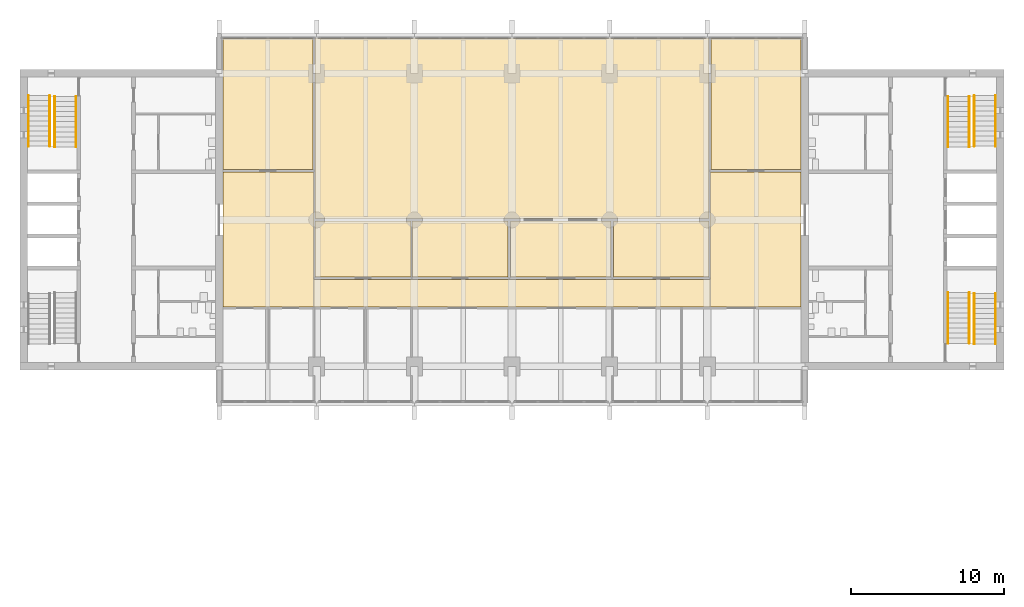
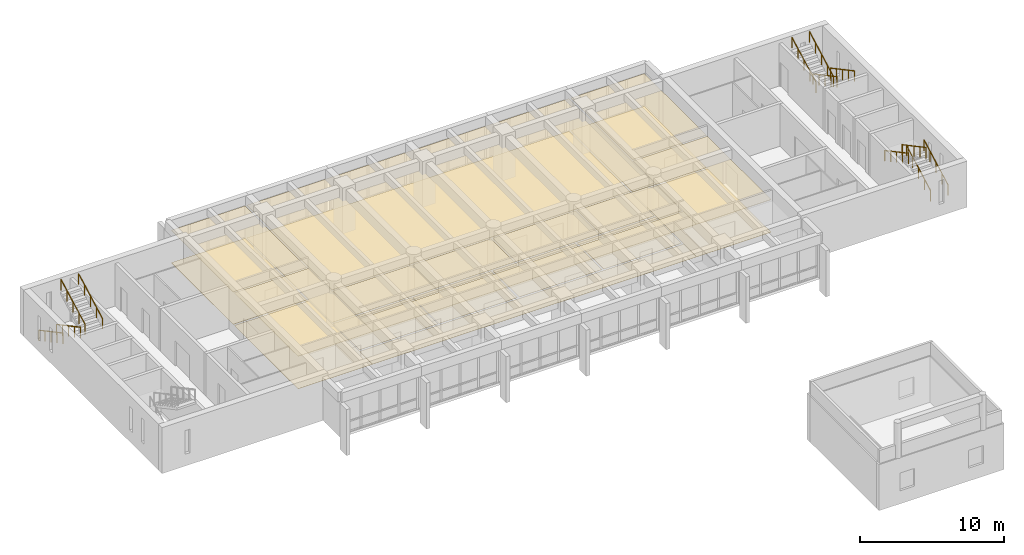
# One storey, part 18 of 19: 20 coverings, 12 railings.
"""IFC4 building model written with IfcOpenShell, lengths in metres."""

from ifc_helpers import new_model, si_unit, direction, frame, origin, origin_2d, place, context, subcontext, project, spatial, polyline, circle, outline, extrude, material, layer, layer_set, type_object, element, save


model = new_model("IFC4")

# Units and contexts
model_context = context("Model", 3, precision=1e-05, world=origin(), true_north=direction((0.0, 1.0)))
body_context = subcontext(model_context, "Body", "Model", "MODEL_VIEW")
ifc_project = project(units=[si_unit("LENGTHUNIT", "METRE"), si_unit("AREAUNIT", "SQUARE_METRE"), si_unit("VOLUMEUNIT", "CUBIC_METRE"), si_unit("PLANEANGLEUNIT", "RADIAN"), si_unit("MASSUNIT", "GRAM", prefix="KILO")], contexts=[model_context])

# Site, building, storey
site_placement = place(None, origin())
site = spatial("IfcSite", under=ifc_project, at=site_placement, CompositionType="ELEMENT")
building_placement = place(site_placement, origin())
building = spatial("IfcBuilding", under=site, at=building_placement, Name="Fogon Plaza Fire Station and Headquarters Tower", CompositionType="ELEMENT")
storey_placement = place(building_placement, frame((0.0, 0.0, 24.89990234375)))
storey = spatial("IfcBuildingStorey", under=building, at=storey_placement, Name="L06", CompositionType="ELEMENT", Elevation=24.89990234375)

# Railings
ifc_material_1 = material(Name="Steel", Category="steel")
railing_type = type_object("IfcRailingType", Name="Stair Handrail 900", PredefinedType="HANDRAIL", material=ifc_material_1)
for number, where, name in (
    (1, (13.10009765625, 51.340087890625, 0.177490234375), "Handrail ST2"),
    (2, (14.5, 51.340087890625, 0.177490234375), "Handrail ST2"),
):
    element("IfcRailing", number, at=place(storey_placement, frame(where)), inside=storey, type_object=railing_type, Name=name, PredefinedType="HANDRAIL", context=body_context, shape_type="SweptSolid", body=[
        extrude(circle(Radius=0.02392578125, at=origin_2d()), frame((0.0, 0.0, 0.8759765625), z_axis=(0.0, -0.881843677922, 0.471541862095), x_axis=(1.0, 0.0, 0.0)), (0.0, 0.0, 1.0), 3.75927734375),
        extrude(circle(Radius=0.02099609375, at=origin_2d()), origin(), (0.0, 0.0, 1.0), 0.851806640625),
        extrude(circle(Radius=0.02099609375, at=origin_2d()), frame((0.0, -0.828857421875, 0.443115234375)), (0.0, 0.0, 1.0), 0.851806640625),
        extrude(circle(Radius=0.02099609375, at=origin_2d()), frame((0.0, -1.65771484375, 0.88623046875)), (0.0, 0.0, 1.0), 0.851806640625),
        extrude(circle(Radius=0.02099609375, at=origin_2d()), frame((0.0, -2.486328125, 1.32958984375)), (0.0, 0.0, 1.0), 0.851806640625),
        extrude(circle(Radius=0.02099609375, at=origin_2d()), frame((0.0, -3.315185546875, 1.772705078125)), (0.0, 0.0, 1.0), 0.851806640625),
    ])
for number, where, name in (
    (3, (16.22509765625, 47.97509765625, 2.12744140625), "Handrail ST2"),
    (4, (14.824951171875, 47.97509765625, 2.12744140625), "Handrail ST2"),
    (5, (76.5, 35.06005859375, 0.177490234375), "Handrail ST3"),
    (6, (75.10009765625, 35.06005859375, 0.177490234375), "Handrail ST3"),
):
    element("IfcRailing", number, at=place(storey_placement, frame(where)), inside=storey, type_object=railing_type, Name=name, PredefinedType="HANDRAIL", context=body_context, shape_type="SweptSolid", body=[
        extrude(circle(Radius=0.02392578125, at=origin_2d()), frame((0.0, 0.0, 0.8759765625), z_axis=(0.0, 0.881829236777, 0.471568867892), x_axis=(-1.0, 0.0, 0.0)), (0.0, 0.0, 1.0), 3.75927734375),
        extrude(circle(Radius=0.02099609375, at=origin_2d()), origin(), (0.0, 0.0, 1.0), 0.851806640625),
        extrude(circle(Radius=0.02099609375, at=origin_2d()), frame((0.0, 0.82861328125, 0.443115234375)), (0.0, 0.0, 1.0), 0.851806640625),
        extrude(circle(Radius=0.02099609375, at=origin_2d()), frame((0.0, 1.657470703125, 0.88623046875)), (0.0, 0.0, 1.0), 0.851806640625),
        extrude(circle(Radius=0.02099609375, at=origin_2d()), frame((0.0, 2.486328125, 1.32958984375)), (0.0, 0.0, 1.0), 0.851806640625),
        extrude(circle(Radius=0.02099609375, at=origin_2d()), frame((0.0, 3.31494140625, 1.772705078125)), (0.0, 0.0, 1.0), 0.851806640625),
    ])
for number, where, name in (
    (7, (73.375, 38.425048828125, 2.12744140625), "Handrail ST3"),
    (8, (74.77490234375, 38.425048828125, 2.12744140625), "Handrail ST3"),
):
    element("IfcRailing", number, at=place(storey_placement, frame(where)), inside=storey, type_object=railing_type, Name=name, PredefinedType="HANDRAIL", context=body_context, shape_type="SweptSolid", body=[
        extrude(circle(Radius=0.02392578125, at=origin_2d()), frame((0.0, 0.0, 0.8759765625), z_axis=(0.0, -0.881829236777, 0.471568867892), x_axis=(1.0, 0.0, 0.0)), (0.0, 0.0, 1.0), 3.75927734375),
        extrude(circle(Radius=0.02099609375, at=origin_2d()), origin(), (0.0, 0.0, 1.0), 0.851806640625),
        extrude(circle(Radius=0.02099609375, at=origin_2d()), frame((0.0, -0.82861328125, 0.443115234375)), (0.0, 0.0, 1.0), 0.851806640625),
        extrude(circle(Radius=0.02099609375, at=origin_2d()), frame((0.0, -1.657470703125, 0.88623046875)), (0.0, 0.0, 1.0), 0.851806640625),
        extrude(circle(Radius=0.02099609375, at=origin_2d()), frame((0.0, -2.486328125, 1.32958984375)), (0.0, 0.0, 1.0), 0.851806640625),
        extrude(circle(Radius=0.02099609375, at=origin_2d()), frame((0.0, -3.31494140625, 1.772705078125)), (0.0, 0.0, 1.0), 0.851806640625),
    ])
for number, where, name in (
    (9, (76.5, 51.340087890625, 0.177490234375), "Handrail ST4"),
    (10, (75.10009765625, 51.340087890625, 0.177490234375), "Handrail ST4"),
):
    element("IfcRailing", number, at=place(storey_placement, frame(where)), inside=storey, type_object=railing_type, Name=name, PredefinedType="HANDRAIL", context=body_context, shape_type="SweptSolid", body=[
        extrude(circle(Radius=0.02392578125, at=origin_2d()), frame((0.0, 0.0, 0.8759765625), z_axis=(0.0, -0.881843677922, 0.471541862095), x_axis=(1.0, 0.0, 0.0)), (0.0, 0.0, 1.0), 3.75927734375),
        extrude(circle(Radius=0.02099609375, at=origin_2d()), origin(), (0.0, 0.0, 1.0), 0.851806640625),
        extrude(circle(Radius=0.02099609375, at=origin_2d()), frame((0.0, -0.828857421875, 0.443115234375)), (0.0, 0.0, 1.0), 0.851806640625),
        extrude(circle(Radius=0.02099609375, at=origin_2d()), frame((0.0, -1.65771484375, 0.88623046875)), (0.0, 0.0, 1.0), 0.851806640625),
        extrude(circle(Radius=0.02099609375, at=origin_2d()), frame((0.0, -2.486328125, 1.32958984375)), (0.0, 0.0, 1.0), 0.851806640625),
        extrude(circle(Radius=0.02099609375, at=origin_2d()), frame((0.0, -3.315185546875, 1.772705078125)), (0.0, 0.0, 1.0), 0.851806640625),
    ])
for number, where, name in (
    (11, (73.375, 47.97509765625, 2.12744140625), "Handrail ST4"),
    (12, (74.77490234375, 47.97509765625, 2.12744140625), "Handrail ST4"),
):
    element("IfcRailing", number, at=place(storey_placement, frame(where)), inside=storey, type_object=railing_type, Name=name, PredefinedType="HANDRAIL", context=body_context, shape_type="SweptSolid", body=[
        extrude(circle(Radius=0.02392578125, at=origin_2d()), frame((0.0, 0.0, 0.8759765625), z_axis=(0.0, 0.881829236777, 0.471568867892), x_axis=(-1.0, 0.0, 0.0)), (0.0, 0.0, 1.0), 3.75927734375),
        extrude(circle(Radius=0.02099609375, at=origin_2d()), origin(), (0.0, 0.0, 1.0), 0.851806640625),
        extrude(circle(Radius=0.02099609375, at=origin_2d()), frame((0.0, 0.82861328125, 0.443115234375)), (0.0, 0.0, 1.0), 0.851806640625),
        extrude(circle(Radius=0.02099609375, at=origin_2d()), frame((0.0, 1.657470703125, 0.88623046875)), (0.0, 0.0, 1.0), 0.851806640625),
        extrude(circle(Radius=0.02099609375, at=origin_2d()), frame((0.0, 2.486328125, 1.32958984375)), (0.0, 0.0, 1.0), 0.851806640625),
        extrude(circle(Radius=0.02099609375, at=origin_2d()), frame((0.0, 3.31494140625, 1.772705078125)), (0.0, 0.0, 1.0), 0.851806640625),
    ])

# Coverings
ifc_material_2 = material(Name="Acoustic ceiling tile")
ifc_layer_1 = layer(ifc_material_2, 0.050048828125)
ifc_layer_set_1 = layer_set([ifc_layer_1], Name="Acoustic ceiling tile")
covering_type_1 = type_object("IfcCoveringType", Name="Tower acoustic ceiling", PredefinedType="CEILING", material=ifc_layer_set_1)
covering_1_placement = place(storey_placement, frame((0.0, 0.0, 2.72998046875)))
element("IfcCovering", 13, at=covering_1_placement, inside=storey, type_object=covering_type_1, Name="cov-cl-L06-08", PredefinedType="CEILING", context=body_context, shape_type="SweptSolid", body=[
    extrude(outline(polyline([(38.1826171875, 39.449951171875), (38.1826171875, 43.125), (31.89501953125, 43.125), (31.89501953125, 39.449951171875), (38.1826171875, 39.449951171875)])), origin(), (0.0, 0.0, 1.0), 0.050048828125),
])
covering_2_placement = place(storey_placement, frame((0.0, 0.0, 2.72998046875)))
element("IfcCovering", 14, at=covering_2_placement, inside=storey, type_object=covering_type_1, Name="cov-cl-L06-09", PredefinedType="CEILING", context=body_context, shape_type="SweptSolid", body=[
    extrude(outline(polyline([(44.544921875, 39.449951171875), (44.544921875, 43.125), (38.257568359375, 43.125), (38.257568359375, 39.449951171875), (44.544921875, 39.449951171875)])), origin(), (0.0, 0.0, 1.0), 0.050048828125),
])
covering_3_placement = place(storey_placement, frame((0.0, 0.0, 2.72998046875)))
element("IfcCovering", 15, at=covering_3_placement, inside=storey, type_object=covering_type_1, Name="cov-cl-L06-11", PredefinedType="CEILING", context=body_context, shape_type="SweptSolid", body=[
    extrude(outline(polyline([(57.705078125, 39.449951171875), (57.705078125, 43.125), (51.455078125, 43.125), (51.455078125, 39.449951171875), (57.705078125, 39.449951171875)])), origin(), (0.0, 0.0, 1.0), 0.050048828125),
])
ifc_material_3 = material(Name="Carpet tile")
ifc_layer_2 = layer(ifc_material_3, 0.011962890625)
ifc_layer_set_2 = layer_set([ifc_layer_2], Name="Carpet tile")
covering_type_2 = type_object("IfcCoveringType", Name="Tower carpet tile floor", PredefinedType="FLOORING", material=ifc_layer_set_2)
covering_4_placement = place(storey_placement, origin())
element("IfcCovering", 16, at=covering_4_placement, inside=storey, type_object=covering_type_2, Name="cov-fl-L06-08", PredefinedType="FLOORING", context=body_context, shape_type="SweptSolid", body=[
    extrude(outline(polyline([(38.1826171875, 39.449951171875), (38.1826171875, 43.125), (31.89501953125, 43.125), (31.89501953125, 39.449951171875), (38.1826171875, 39.449951171875)])), origin(), (0.0, 0.0, 1.0), 0.01220703125),
])
covering_5_placement = place(storey_placement, origin())
element("IfcCovering", 17, at=covering_5_placement, inside=storey, type_object=covering_type_2, Name="cov-fl-L06-09", PredefinedType="FLOORING", context=body_context, shape_type="SweptSolid", body=[
    extrude(outline(polyline([(44.544921875, 39.449951171875), (44.544921875, 43.125), (38.257568359375, 43.125), (38.257568359375, 39.449951171875), (44.544921875, 39.449951171875)])), origin(), (0.0, 0.0, 1.0), 0.01220703125),
])
covering_6_placement = place(storey_placement, origin())
element("IfcCovering", 18, at=covering_6_placement, inside=storey, type_object=covering_type_2, Name="cov-fl-L06-11", PredefinedType="FLOORING", context=body_context, shape_type="SweptSolid", body=[
    extrude(outline(polyline([(57.705078125, 39.449951171875), (57.705078125, 43.125), (51.455078125, 43.125), (51.455078125, 39.449951171875), (57.705078125, 39.449951171875)])), origin(), (0.0, 0.0, 1.0), 0.01220703125),
])
covering_7_placement = place(storey_placement, origin())
element("IfcCovering", 19, at=covering_7_placement, inside=storey, type_object=covering_type_2, Name="cov-fl-L06-12", PredefinedType="FLOORING", context=body_context, shape_type="SweptSolid", body=[
    extrude(outline(polyline([(57.705078125, 43.27490234375), (57.705078125, 55.10009765625), (31.89501953125, 55.10009765625), (31.89501953125, 43.27490234375), (57.705078125, 43.27490234375)])), origin(), (0.0, 0.0, 1.0), 0.01220703125),
])
ifc_material_4 = material(Name="Ceramic tile")
ifc_layer_3 = layer(ifc_material_4, 0.02001953125)
ifc_layer_set_3 = layer_set([ifc_layer_3], Name="Ceramic tile")
covering_type_3 = type_object("IfcCoveringType", Name="Tower ceramic tile floor", PredefinedType="FLOORING", material=ifc_layer_set_3)
covering_8_placement = place(storey_placement, origin())
element("IfcCovering", 20, at=covering_8_placement, inside=storey, type_object=covering_type_3, Name="cov-fl-L06-14", PredefinedType="FLOORING", context=body_context, shape_type="SweptSolid", body=[
    extrude(outline(polyline([(63.75, 46.5), (63.75, 55.10009765625), (57.85498046875, 55.10009765625), (57.85498046875, 46.5), (63.75, 46.5)])), origin(), (0.0, 0.0, 1.0), 0.02001953125),
])
ifc_material_5 = material(Name="Heavy duty carpet tile")
ifc_layer_4 = layer(ifc_material_5, 0.013916015625)
ifc_layer_set_4 = layer_set([ifc_layer_4], Name="Heavy duty carpet tile")
covering_type_4 = type_object("IfcCoveringType", Name="Tower corridor carpet floor", PredefinedType="FLOORING", material=ifc_layer_set_4)
covering_9_placement = place(storey_placement, origin())
element("IfcCovering", 21, at=covering_9_placement, inside=storey, type_object=covering_type_4, Name="cov-fl-L06-10", PredefinedType="FLOORING", context=body_context, shape_type="SweptSolid", body=[
    extrude(outline(polyline([(51.304931640625, 39.449951171875), (51.304931640625, 43.125), (44.695068359375, 43.125), (44.695068359375, 39.449951171875), (51.304931640625, 39.449951171875)])), origin(), (0.0, 0.0, 1.0), 0.01416015625),
])
covering_10_placement = place(storey_placement, origin())
element("IfcCovering", 22, at=covering_10_placement, inside=storey, type_object=covering_type_4, Name="cov-fl-L06-15", PredefinedType="FLOORING", context=body_context, shape_type="SweptSolid", body=[
    extrude(outline(polyline([(57.780029296875, 37.5), (57.780029296875, 39.300048828125), (31.820068359375, 39.300048828125), (31.820068359375, 37.5), (57.780029296875, 37.5)])), origin(), (0.0, 0.0, 1.0), 0.01416015625),
])
covering_11_placement = place(storey_placement, origin())
element("IfcCovering", 23, at=covering_11_placement, inside=storey, type_object=covering_type_4, Name="cov-fl-L06-16", PredefinedType="FLOORING", context=body_context, shape_type="SweptSolid", body=[
    extrude(outline(polyline([(31.820068359375, 37.5), (31.820068359375, 46.35009765625), (25.85009765625, 46.35009765625), (25.85009765625, 37.5), (31.820068359375, 37.5)])), origin(), (0.0, 0.0, 1.0), 0.01416015625),
])
covering_12_placement = place(storey_placement, origin())
element("IfcCovering", 24, at=covering_12_placement, inside=storey, type_object=covering_type_4, Name="cov-fl-L06-17", PredefinedType="FLOORING", context=body_context, shape_type="SweptSolid", body=[
    extrude(outline(polyline([(63.75, 37.5), (63.75, 46.35009765625), (57.780029296875, 46.35009765625), (57.780029296875, 37.5), (63.75, 37.5)])), origin(), (0.0, 0.0, 1.0), 0.01416015625),
])
ifc_material_6 = material(Name="Moisture resistant plasterboard ceiling")
ifc_layer_5 = layer(ifc_material_6, 0.034912109375)
ifc_layer_set_5 = layer_set([ifc_layer_5], Name="Moisture resistant plasterboard ceiling")
covering_type_5 = type_object("IfcCoveringType", Name="Tower moisture resistant ceiling", PredefinedType="CEILING", material=ifc_layer_set_5)
covering_13_placement = place(storey_placement, frame((0.0, 0.0, 2.7451171875)))
element("IfcCovering", 25, at=covering_13_placement, inside=storey, type_object=covering_type_5, Name="cov-cl-L06-14", PredefinedType="CEILING", context=body_context, shape_type="SweptSolid", body=[
    extrude(outline(polyline([(63.75, 46.5), (63.75, 55.10009765625), (57.85498046875, 55.10009765625), (57.85498046875, 46.5), (63.75, 46.5)])), origin(), (0.0, 0.0, 1.0), 0.034912109375),
])
ifc_material_7 = material(Name="Plasterboard ceiling")
ifc_layer_6 = layer(ifc_material_7, 0.030029296875)
ifc_layer_set_6 = layer_set([ifc_layer_6], Name="Plasterboard ceiling")
covering_type_6 = type_object("IfcCoveringType", Name="Tower plasterboard ceiling", PredefinedType="CEILING", material=ifc_layer_set_6)
covering_14_placement = place(storey_placement, frame((0.0, 0.0, 2.75)))
element("IfcCovering", 26, at=covering_14_placement, inside=storey, type_object=covering_type_6, Name="cov-cl-L06-10", PredefinedType="CEILING", context=body_context, shape_type="SweptSolid", body=[
    extrude(outline(polyline([(51.304931640625, 39.449951171875), (51.304931640625, 43.125), (44.695068359375, 43.125), (44.695068359375, 39.449951171875), (51.304931640625, 39.449951171875)])), origin(), (0.0, 0.0, 1.0), 0.030029296875),
])
covering_15_placement = place(storey_placement, frame((0.0, 0.0, 2.75)))
element("IfcCovering", 27, at=covering_15_placement, inside=storey, type_object=covering_type_6, Name="cov-cl-L06-15", PredefinedType="CEILING", context=body_context, shape_type="SweptSolid", body=[
    extrude(outline(polyline([(57.780029296875, 37.5), (57.780029296875, 39.300048828125), (31.820068359375, 39.300048828125), (31.820068359375, 37.5), (57.780029296875, 37.5)])), origin(), (0.0, 0.0, 1.0), 0.030029296875),
])
covering_16_placement = place(storey_placement, frame((0.0, 0.0, 2.75)))
element("IfcCovering", 28, at=covering_16_placement, inside=storey, type_object=covering_type_6, Name="cov-cl-L06-16", PredefinedType="CEILING", context=body_context, shape_type="SweptSolid", body=[
    extrude(outline(polyline([(31.820068359375, 37.5), (31.820068359375, 46.35009765625), (25.85009765625, 46.35009765625), (25.85009765625, 37.5), (31.820068359375, 37.5)])), origin(), (0.0, 0.0, 1.0), 0.030029296875),
])
covering_17_placement = place(storey_placement, frame((0.0, 0.0, 2.75)))
element("IfcCovering", 29, at=covering_17_placement, inside=storey, type_object=covering_type_6, Name="cov-cl-L06-17", PredefinedType="CEILING", context=body_context, shape_type="SweptSolid", body=[
    extrude(outline(polyline([(63.75, 37.5), (63.75, 46.35009765625), (57.780029296875, 46.35009765625), (57.780029296875, 37.5), (63.75, 37.5)])), origin(), (0.0, 0.0, 1.0), 0.030029296875),
])
ifc_material_8 = material(Name="Sealed cement screed")
ifc_layer_7 = layer(ifc_material_8, 0.030029296875)
ifc_layer_set_7 = layer_set([ifc_layer_7], Name="Sealed cement screed")
covering_type_7 = type_object("IfcCoveringType", Name="Tower sealed screed floor", PredefinedType="FLOORING", material=ifc_layer_set_7)
covering_18_placement = place(storey_placement, origin())
element("IfcCovering", 30, at=covering_18_placement, inside=storey, type_object=covering_type_7, Name="cov-fl-L06-13", PredefinedType="FLOORING", context=body_context, shape_type="SweptSolid", body=[
    extrude(outline(polyline([(31.7451171875, 46.5), (31.7451171875, 55.10009765625), (25.85009765625, 55.10009765625), (25.85009765625, 46.5), (31.7451171875, 46.5)])), origin(), (0.0, 0.0, 1.0), 0.030029296875),
])
ifc_material_9 = material(Name="Mineral fibre ceiling tile")
ifc_layer_8 = layer(ifc_material_9, 0.0400390625)
ifc_layer_set_8 = layer_set([ifc_layer_8], Name="Mineral fibre ceiling tile")
covering_type_8 = type_object("IfcCoveringType", Name="Tower suspended tile ceiling", PredefinedType="CEILING", material=ifc_layer_set_8)
covering_19_placement = place(storey_placement, frame((0.0, 0.0, 2.739990234375)))
element("IfcCovering", 31, at=covering_19_placement, inside=storey, type_object=covering_type_8, Name="cov-cl-L06-12", PredefinedType="CEILING", context=body_context, shape_type="SweptSolid", body=[
    extrude(outline(polyline([(57.705078125, 43.27490234375), (57.705078125, 55.10009765625), (31.89501953125, 55.10009765625), (31.89501953125, 43.27490234375), (57.705078125, 43.27490234375)])), origin(), (0.0, 0.0, 1.0), 0.0400390625),
])
covering_20_placement = place(storey_placement, frame((0.0, 0.0, 2.739990234375)))
element("IfcCovering", 32, at=covering_20_placement, inside=storey, type_object=covering_type_8, Name="cov-cl-L06-13", PredefinedType="CEILING", context=body_context, shape_type="SweptSolid", body=[
    extrude(outline(polyline([(31.7451171875, 46.5), (31.7451171875, 55.10009765625), (25.85009765625, 55.10009765625), (25.85009765625, 46.5), (31.7451171875, 46.5)])), origin(), (0.0, 0.0, 1.0), 0.0400390625),
])

save(model, "model.ifc")
